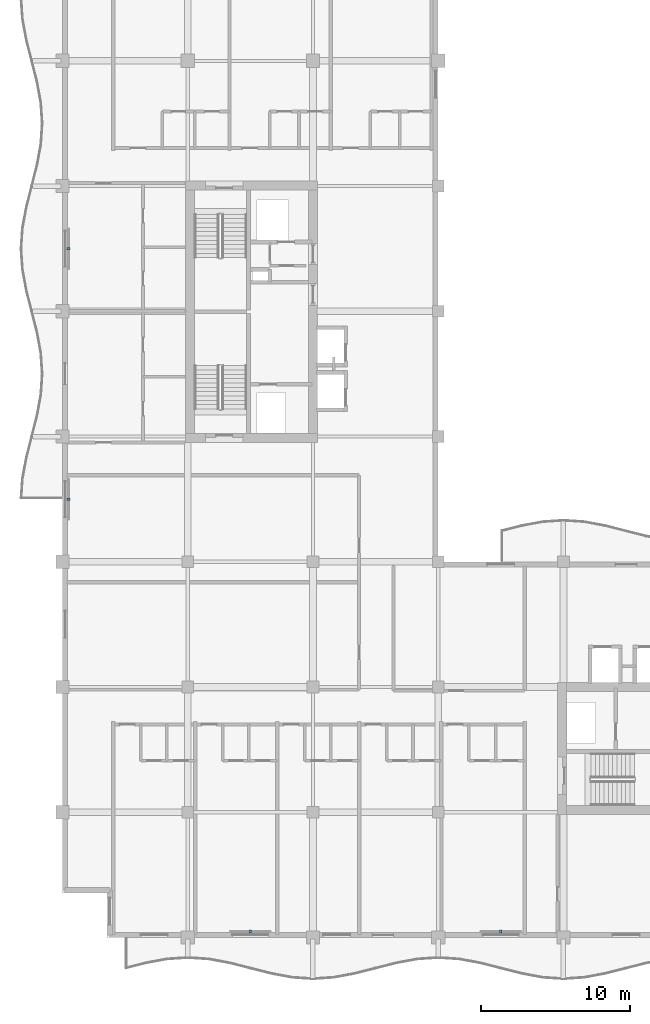
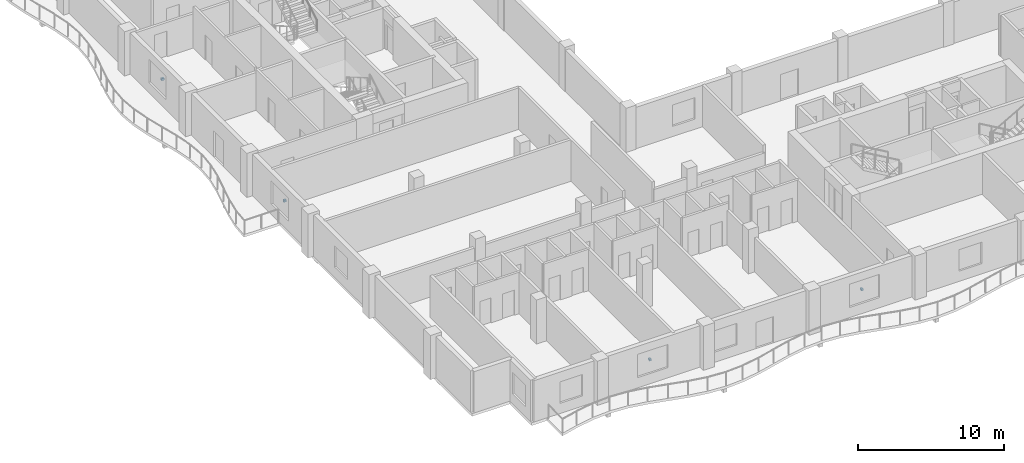
# One storey, part 12 of 15: 4 discrete accessories.
"""IFC4 building model written with IfcOpenShell, lengths in metres."""

from ifc_helpers import new_model, si_unit, direction, frame, origin, origin_2d, place, context, subcontext, project, spatial, rectangle, extrude, material, type_object, element, save


model = new_model("IFC4")

# Units and contexts
model_context = context("Model", 3, precision=1e-05, world=origin(), true_north=direction((0.0, 1.0)))
body_context = subcontext(model_context, "Body", "Model", "MODEL_VIEW")
ifc_project = project(units=[si_unit("LENGTHUNIT", "METRE"), si_unit("AREAUNIT", "SQUARE_METRE"), si_unit("VOLUMEUNIT", "CUBIC_METRE"), si_unit("PLANEANGLEUNIT", "RADIAN"), si_unit("MASSUNIT", "GRAM", prefix="KILO")], contexts=[model_context])

# Site, building, storey
site_placement = place(None, origin())
site = spatial("IfcSite", under=ifc_project, at=site_placement, CompositionType="ELEMENT")
building_placement = place(site_placement, origin())
building = spatial("IfcBuilding", under=site, at=building_placement, Name="Koriwani Terraces Tower", CompositionType="ELEMENT")
storey_placement = place(building_placement, frame((0.0, 0.0, 282.300048828125)))
storey = spatial("IfcBuildingStorey", under=building, at=storey_placement, Name="L70", CompositionType="ELEMENT", Elevation=282.300048828125)

# Discrete accessories
ifc_material = material(Name="Steel ASTM A572 Grade 50", Category="steel")
discrete_accessory_type = type_object("IfcDiscreteAccessoryType", Name="BAGUETTE_STANDOFF_BRACKET", PredefinedType="BRACKET", material=ifc_material)
for number, where, z_axis, x_axis, name in (
    (1, (8.7900390625, 37.800048828125, 1.64501953125), (0.0, 0.0, 1.0), (0.0, 1.0, 0.0), "L70 Terracotta Baguette Bracket (W-9)"),
    (2, (8.7900390625, 54.60009765625, 1.64501953125), (0.0, 0.0, 1.0), (0.0, 1.0, 0.0), "L70 Terracotta Baguette Bracket (W-15)"),
    (3, (21.0, 8.7900390625, 1.64501953125), (0.0, 0.0, 1.0), (-1.0, 0.0, 0.0), "L70 Terracotta Baguette Bracket (S-3)"),
    (4, (37.800048828125, 8.7900390625, 1.64501953125), (0.0, 0.0, 1.0), (-1.0, 0.0, 0.0), "L70 Terracotta Baguette Bracket (S-9)"),
):
    element("IfcDiscreteAccessory", number, at=place(storey_placement, frame(where, z_axis=z_axis, x_axis=x_axis)), inside=storey, type_object=discrete_accessory_type, Name=name, PredefinedType="BRACKET", context=body_context, shape_type="SweptSolid", body=[
        extrude(rectangle(XDim=0.159912109375, YDim=0.199951171875, at=origin_2d()), origin(), (0.0, 0.0, 1.0), 0.179931640625),
    ])

save(model, "model.ifc")
